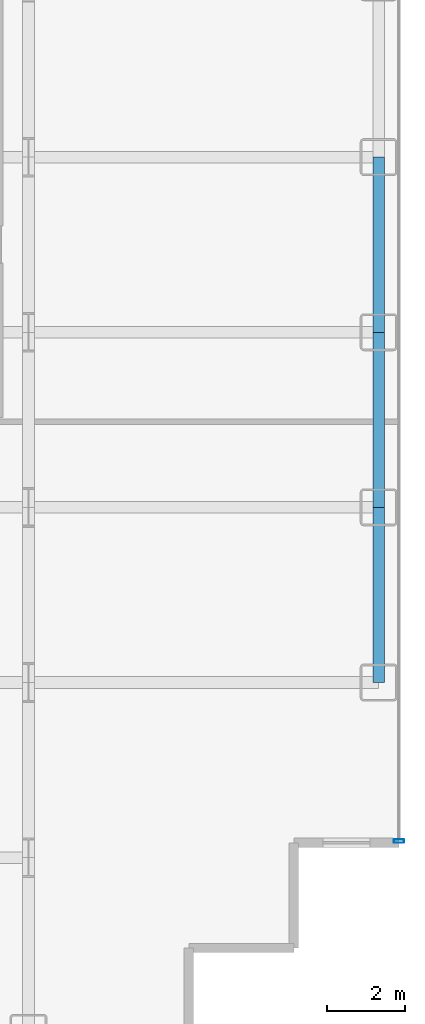
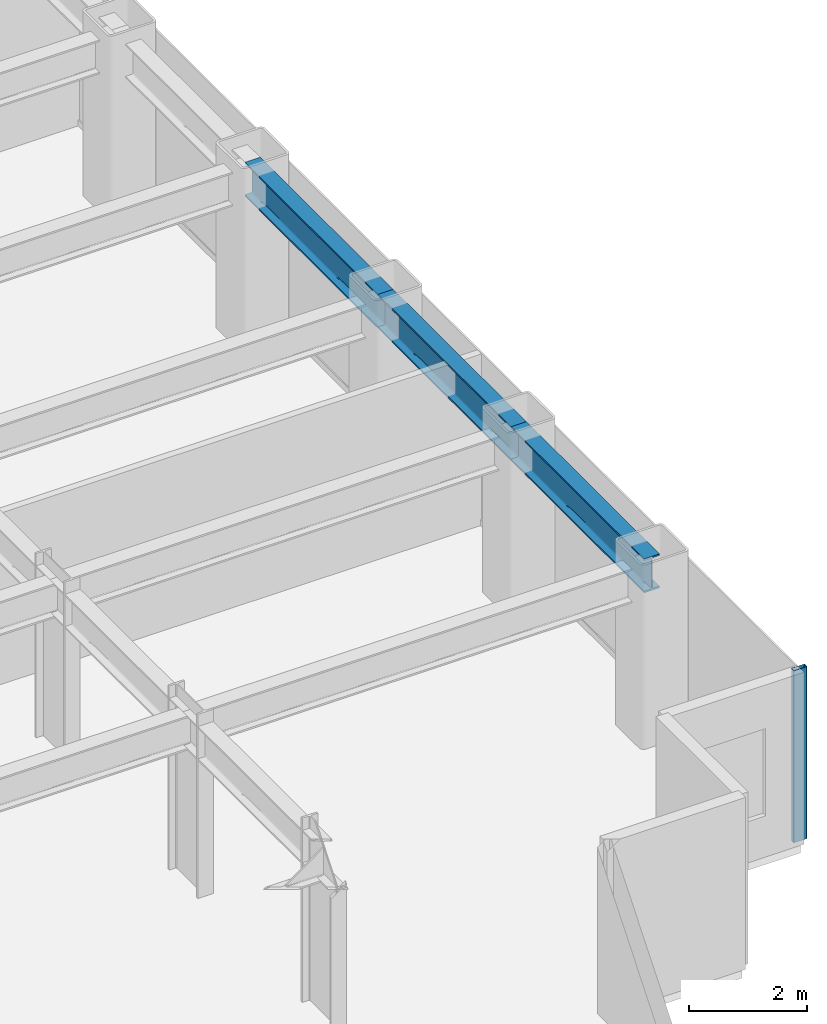
# One storey, part 16 of 25: 3 beams, 1 member, 1 element without a shape of its own.
"""IFC4 building model written with IfcOpenShell, lengths in metres."""

from ifc_helpers import new_model, si_unit, direction, frame, origin, origin_2d, place, context, subcontext, project, spatial, hollow_rectangle, i_section, extrude, source, transform, mapped, material, layer, layer_set, material_profile, profile_set, type_object, element, aggregate, save


model = new_model("IFC4")

# Units and contexts
model_context = context("Model", 3, precision=1e-05, world=origin(), true_north=direction((0.0, 1.0)))
body_context = subcontext(model_context, "Body", "Model", "MODEL_VIEW")
ifc_project = project(units=[si_unit("LENGTHUNIT", "METRE"), si_unit("AREAUNIT", "SQUARE_METRE"), si_unit("VOLUMEUNIT", "CUBIC_METRE"), si_unit("PLANEANGLEUNIT", "RADIAN"), si_unit("MASSUNIT", "GRAM", prefix="KILO")], contexts=[model_context])

# Site, building, storey
site_placement = place(None, origin())
site = spatial("IfcSite", under=ifc_project, at=site_placement, CompositionType="ELEMENT")
building_placement = place(site_placement, origin())
building = spatial("IfcBuilding", under=site, at=building_placement, Name="Nefas-Gora Pilgrimage Tower", CompositionType="ELEMENT")
storey_placement = place(building_placement, frame((0.0, 0.0, 98.39990234375)))
storey = spatial("IfcBuildingStorey", under=building, at=storey_placement, Name="L23", CompositionType="ELEMENT", Elevation=98.39990234375)

# Beams
ifc_material_1 = material(Name="Steel S355", Category="steel")
ifc_material_profile_1 = material_profile(ifc_material_1, i_section(OverallWidth=0.300048828125, OverallDepth=0.699951171875, WebThickness=0.01708984375, FlangeThickness=0.031982421875, FilletRadius=0.027099609375, at=origin_2d()), Name="HEB 700")
ifc_profile_set_1 = profile_set([ifc_material_profile_1], Name="Steel S355")
beam_type = type_object("IfcBeamType", Name="BM-SPN-HEB600", PredefinedType="SPANDREL", material=ifc_profile_set_1)
shared_shape_1 = source(origin(), body_context, "Body", "SweptSolid", [
    extrude(i_section(OverallWidth=0.300048828125, OverallDepth=0.699951171875, WebThickness=0.01708984375, FlangeThickness=0.031982421875, FilletRadius=0.027099609375, at=origin_2d()), origin(), (0.0, 0.0, 1.0), 4.5),
])
for number, where, z_axis, x_axis, name in (
    (1, (33.75, -13.5, 3.2001953125), (0.0, 1.0, 0.0), (-1.0, 0.0, 0.0), "L23 SP-01 beam"),
    (2, (33.75, -9.0, 3.2001953125), (0.0, 1.0, 0.0), (-1.0, 0.0, 0.0), "L23 SP-01 beam"),
    (3, (33.75, -4.5, 3.2001953125), (0.0, 1.0, 0.0), (-1.0, 0.0, 0.0), "L23 SP-01 beam"),
):
    element("IfcBeam", number, at=place(storey_placement, frame(where, z_axis=z_axis, x_axis=x_axis)), inside=storey, type_object=beam_type, Name=name, PredefinedType="SPANDREL", context=body_context, shape_type="MappedRepresentation", body=[
        mapped(shared_shape_1, transform((0.0, 0.0, 0.0), x_axis=(1.0, 0.0, 0.0), y_axis=(0.0, 1.0, 0.0), z_axis=(0.0, 0.0, 1.0), scale=1.0)),
    ])

# Curtain wall, member
ifc_material_2 = material(Name="Dark ceramic-fritted solar-control aluminium-glass curtain wall", Category="aluminium")
ifc_layer = layer(ifc_material_2, 0.219970703125)
ifc_layer_set = layer_set([ifc_layer], Name="Dark ceramic-fritted solar-control aluminium-glass curtain wall")
curtain_wall_type = type_object("IfcCurtainWallType", Name="CW-SYS-2", PredefinedType="NOTDEFINED", material=ifc_layer_set)
curtain_wall_placement = place(storey_placement, origin())
curtain_wall = element("IfcCurtainWall", 4, at=curtain_wall_placement, inside=storey, type_object=curtain_wall_type, Name="L23 Unitised Curtain Wall CW2", PredefinedType="NOTDEFINED")
ifc_material_3 = material(Name="Anodised architectural aluminium", Category="aluminium")
ifc_material_profile_2 = material_profile(ifc_material_3, hollow_rectangle(XDim=0.090087890625, YDim=0.260009765625, WallThickness=0.006103515625, InnerFilletRadius=0.006103515625, OuterFilletRadius=0.011962890625, at=origin_2d()), Name="ALU MULLION 90x260")
ifc_profile_set_2 = profile_set([ifc_material_profile_2], Name="Anodised architectural aluminium")
member_type = type_object("IfcMemberType", Name="CWM-MUL-2", PredefinedType="MULLION", material=ifc_profile_set_2)
shared_shape_2 = source(origin(), body_context, "Body", "SweptSolid", [
    extrude(hollow_rectangle(XDim=0.090087890625, YDim=0.260009765625, WallThickness=0.006103515625, InnerFilletRadius=0.006103515625, OuterFilletRadius=0.011962890625, at=origin_2d()), origin(), (0.0, 0.0, 1.0), 3.550048828125),
])
member_placement = place(storey_placement, frame((34.27001953125, -17.574951171875, 0.0), z_axis=(0.0, 0.0, 1.0), x_axis=(0.0, 1.0, 0.0)))
member = element("IfcMember", 5, at=member_placement, type_object=member_type, Name="CW2 Mullion 1", PredefinedType="MULLION", context=body_context, shape_type="MappedRepresentation", body=[
    mapped(shared_shape_2, transform((0.0, 0.0, 0.0), x_axis=(1.0, 0.0, 0.0), y_axis=(0.0, 1.0, 0.0), z_axis=(0.0, 0.0, 1.0), scale=1.0)),
])
aggregate(curtain_wall, [member])

save(model, "model.ifc")
